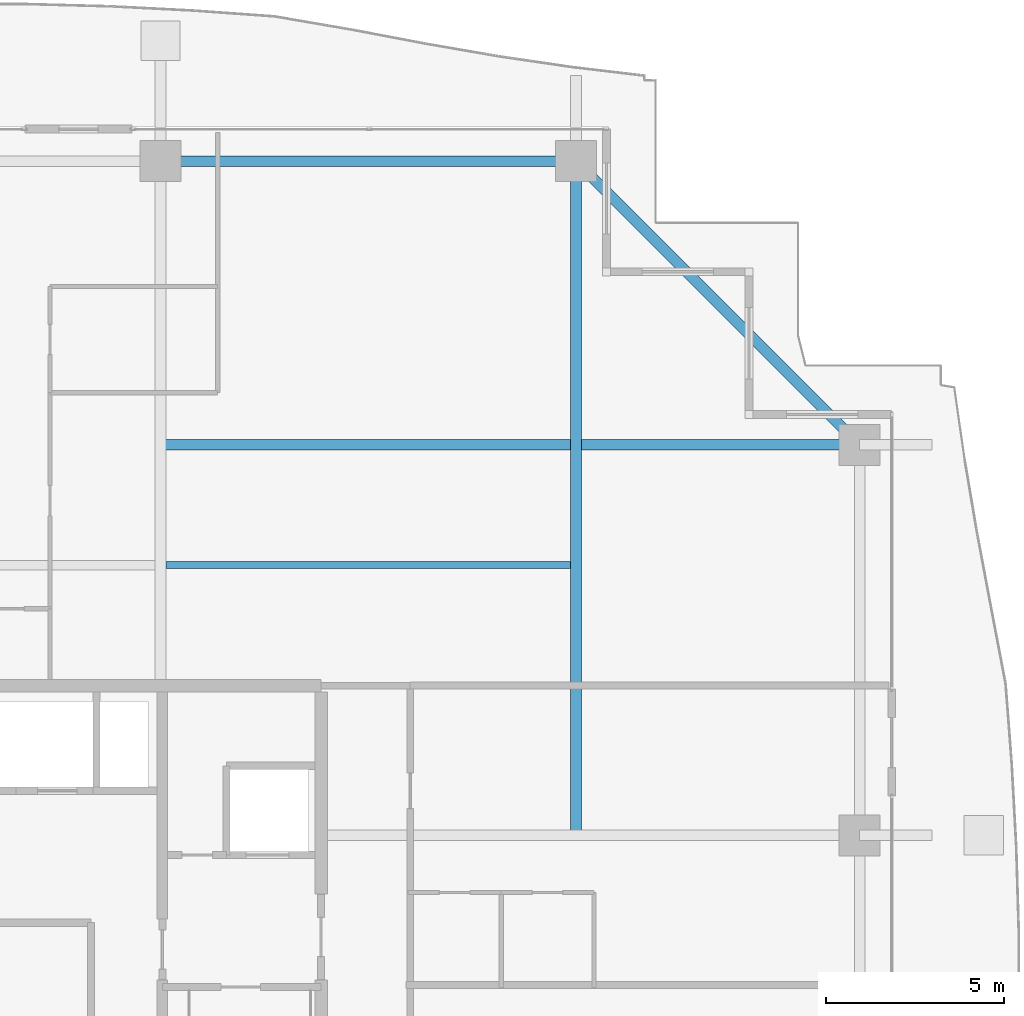
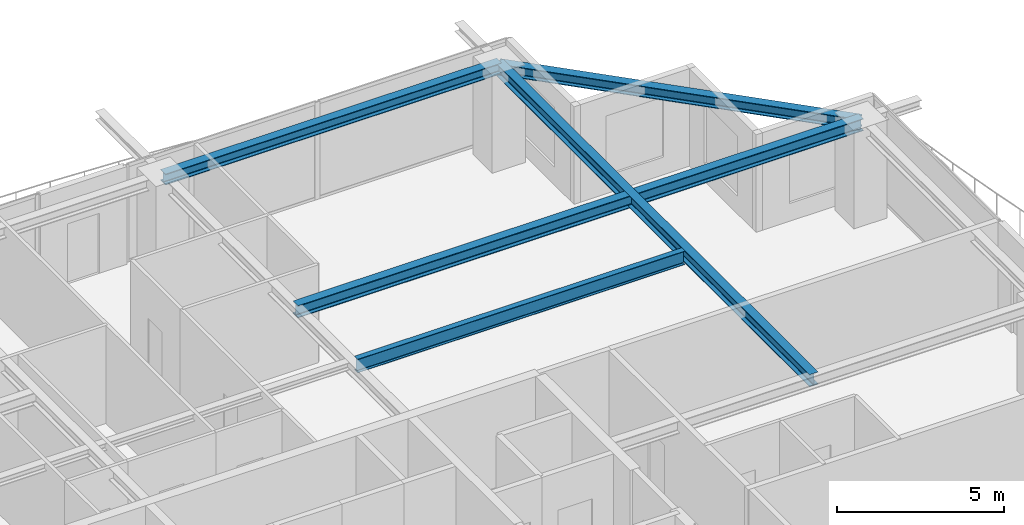
# One storey, part 22 of 38: 5 beams.
"""IFC4 building model written with IfcOpenShell, lengths in metres."""

import ifcopenshell
import ifcopenshell.guid

model = None  # the IFC model being written
_history = None  # IfcOwnerHistory: only IFC2X3 demands one
_inside = {}  # id of a spatial element -> (the spatial element, [elements in it])
_under = {}  # id of a project, library or spatial element -> (it, [spatial elements below it])
_declared = {}  # id of a project -> (the project, [libraries it declares])
_typed = {}  # id of a type object -> (the type object, [elements of that type])
_made_of = {}  # id of a material, layer set ... -> (it, [elements and type objects made of it])


def new_model(schema):
    """Start an empty IFC model of exactly this schema.

    Asked for "IFC4X3", IfcOpenShell would pick the latest addendum, in which some entities
    have other attributes; the version numbers below select the first issue.
    IFC2X3 requires an IfcOwnerHistory on every rooted entity: one is made here for all.
    """
    global model, _history
    if schema == "IFC4X3":
        model = ifcopenshell.file(schema_version=(4, 3, 0, 0))
    else:
        model = ifcopenshell.file(schema=schema)
    _inside.clear()
    _under.clear()
    _declared.clear()
    _typed.clear()
    _made_of.clear()
    _history = None
    if model.schema == "IFC2X3":
        org = make("IfcOrganization", Name="unknown")
        user = make(
            "IfcPersonAndOrganization",
            ThePerson=make("IfcPerson", FamilyName="unknown"),
            TheOrganization=org,
        )
        app = make(
            "IfcApplication",
            ApplicationDeveloper=org,
            Version="unknown",
            ApplicationFullName="unknown",
            ApplicationIdentifier="unknown",
        )
        _history = make(
            "IfcOwnerHistory",
            OwningUser=user,
            OwningApplication=app,
            ChangeAction="ADDED",
            CreationDate=0,
        )
    return model


def make(cls, **values):
    """One entity of the class cls with the attributes given. An attribute that is None is left unset."""
    return model.create_entity(
        cls, **{name: value for name, value in values.items() if value is not None}
    )


def rooted(cls, **values):
    """An entity with a GlobalId (a new one), such as an element, a storey or a relation."""
    return make(cls, GlobalId=ifcopenshell.guid.new(), OwnerHistory=_history, **values)


def si_unit(unit_type, name, prefix=None):
    """IfcSIUnit, for example si_unit("LENGTHUNIT", "METRE", prefix="MILLI")."""
    return make("IfcSIUnit", UnitType=unit_type, Prefix=prefix, Name=name)


def assignment(units):
    """IfcUnitAssignment: the units of a project."""
    return None if units is None else make("IfcUnitAssignment", Units=units)


def point(xyz):
    """IfcCartesianPoint."""
    return None if xyz is None else make("IfcCartesianPoint", Coordinates=xyz)


def direction(xyz):
    """IfcDirection."""
    return None if xyz is None else make("IfcDirection", DirectionRatios=xyz)


def frame(location, z_axis=None, x_axis=None):
    """IfcAxis2Placement3D, a coordinate frame: its origin and axes. An axis left out is left unset."""
    return make(
        "IfcAxis2Placement3D",
        Location=point(location),
        Axis=direction(z_axis),
        RefDirection=direction(x_axis),
    )


def frame_2d(location, x_axis=None):
    """IfcAxis2Placement2D, a coordinate frame in the plane: its origin and x axis."""
    return make(
        "IfcAxis2Placement2D", Location=point(location), RefDirection=direction(x_axis)
    )


def origin():
    """The frame at (0, 0, 0) with its axes left unset."""
    return frame((0.0, 0.0, 0.0))


def origin_2d():
    """The frame at (0, 0) in the plane with its x axis left unset."""
    return frame_2d((0.0, 0.0))


def place(relative_to, where):
    """IfcLocalPlacement: puts the frame where relative to a parent placement (None: the world)."""
    return make(
        "IfcLocalPlacement", PlacementRelTo=relative_to, RelativePlacement=where
    )


def context(
    kind, dimensions, precision=None, world=None, true_north=None, identifier=None
):
    """IfcGeometricRepresentationContext, for example the 3D "Model" context."""
    return make(
        "IfcGeometricRepresentationContext",
        ContextIdentifier=identifier,
        ContextType=kind,
        CoordinateSpaceDimension=dimensions,
        Precision=precision,
        WorldCoordinateSystem=world,
        TrueNorth=true_north,
    )


def subcontext(parent, identifier, kind, view, scale=None):
    """IfcGeometricRepresentationSubContext, for example "Body" below "Model"."""
    return make(
        "IfcGeometricRepresentationSubContext",
        ContextIdentifier=identifier,
        ContextType=kind,
        ParentContext=parent,
        TargetScale=scale,
        TargetView=view,
    )


def project(units=None, contexts=None):
    """IfcProject with its units and contexts."""
    return rooted(
        "IfcProject",
        Name="project",
        RepresentationContexts=contexts,
        UnitsInContext=assignment(units),
    )


def spatial(cls, under=None, at=None, **own):
    """A site, building, storey or space (cls), placed at a placement, below another one or the project."""
    s = rooted(cls, ObjectPlacement=at, **own)
    if under is not None:
        _under.setdefault(under.id(), (under, []))[1].append(s)
    return s


def profile(cls, at=None, kind="AREA", **sizes):
    """A parametric profile (cls). Its sizes go by their IFC names, for example OverallWidth=200.0."""
    return make(cls, ProfileType=kind, Position=at, **sizes)


def i_section(**sizes):
    """IfcIShapeProfileDef."""
    return profile("IfcIShapeProfileDef", **sizes)


def extrude(swept, where, along, depth):
    """IfcExtrudedAreaSolid: the profile swept, set in the frame where, extruded along a direction by depth."""
    return make(
        "IfcExtrudedAreaSolid",
        SweptArea=swept,
        Position=where,
        ExtrudedDirection=direction(along),
        Depth=depth,
    )


def shape(context_of_items, identifier, shape_type, items):
    """IfcShapeRepresentation: the items that make up one representation, for example the "Body"."""
    return make(
        "IfcShapeRepresentation",
        ContextOfItems=context_of_items,
        RepresentationIdentifier=identifier,
        RepresentationType=shape_type,
        Items=items,
    )


def source(mapping_origin, context_of_items, identifier, shape_type, items):
    """IfcRepresentationMap: a shape defined once, which mapped items show again and again."""
    return make(
        "IfcRepresentationMap",
        MappingOrigin=mapping_origin,
        MappedRepresentation=shape(context_of_items, identifier, shape_type, items),
    )


def transform(
    local_origin,
    x_axis=None,
    y_axis=None,
    z_axis=None,
    scale=None,
    scale2=None,
    scale3=None,
    uniform=True,
):
    """IfcCartesianTransformationOperator3D, or its non-uniform kind. x_axis, y_axis, z_axis: its Axis1, 2, 3."""
    if uniform:
        return make(
            "IfcCartesianTransformationOperator3D",
            Axis1=direction(x_axis),
            Axis2=direction(y_axis),
            LocalOrigin=point(local_origin),
            Scale=scale,
            Axis3=direction(z_axis),
        )
    return make(
        "IfcCartesianTransformationOperator3DnonUniform",
        Axis1=direction(x_axis),
        Axis2=direction(y_axis),
        LocalOrigin=point(local_origin),
        Scale=scale,
        Axis3=direction(z_axis),
        Scale2=scale2,
        Scale3=scale3,
    )


def mapped(mapping_source, mapping_target):
    """IfcMappedItem: shows the shape of a source again, moved by a transform."""
    return make(
        "IfcMappedItem", MappingSource=mapping_source, MappingTarget=mapping_target
    )


def material(Name=None, Category=None):
    """IfcMaterial."""
    return make("IfcMaterial", Name=Name, Category=Category)


def material_profile(
    of_material, cross_section, Name=None, Category=None, Priority=None
):
    """IfcMaterialProfile: a cross section and its material."""
    return make(
        "IfcMaterialProfile",
        Name=Name,
        Material=of_material,
        Profile=cross_section,
        Priority=Priority,
        Category=Category,
    )


def profile_set(profiles, Name=None, composite=None):
    """IfcMaterialProfileSet."""
    return make(
        "IfcMaterialProfileSet",
        Name=Name,
        MaterialProfiles=profiles,
        CompositeProfile=composite,
    )


def made_of(thing, what):
    """Note that an element or type object is made of a material, layer set ...; save() writes the relation."""
    if what is not None:
        _made_of.setdefault(what.id(), (what, []))[1].append(thing)
    return thing


def type_object(cls, material=None, **own):
    """A type object (cls), such as IfcWallType, which elements share."""
    return made_of(rooted(cls, **own), material)


def element(
    cls,
    number,
    at=None,
    inside=None,
    cuts=None,
    type_object=None,
    material=None,
    context=None,
    identifier="Body",
    shape_type=None,
    held_by="IfcProductDefinitionShape",
    body=None,
    shapes=None,
    **own,
):
    """One element of the class cls, such as IfcWall. Its Tag is "e" and its number.

    at: its placement. inside: the storey or other place that contains it. cuts: it is an
    opening in that element (IfcRelVoidsElement). A single representation is given by context,
    identifier, shape_type and body (its items); several are given by shapes. held_by: the class
    of the entity that holds the representations. save() writes the other relations.
    """
    e = rooted(cls, Tag="e%d" % number, ObjectPlacement=at, **own)
    if body is not None:
        shapes = [shape(context, identifier, shape_type, body)]
    if shapes is not None:
        e.Representation = make(held_by, Representations=shapes)
    if inside is not None:
        _inside.setdefault(inside.id(), (inside, []))[1].append(e)
    if cuts is not None:
        rooted(
            "IfcRelVoidsElement", RelatingBuildingElement=cuts, RelatedOpeningElement=e
        )
    if type_object is not None:
        _typed.setdefault(type_object.id(), (type_object, []))[1].append(e)
    return made_of(e, material)


def aggregate(whole, parts):
    """IfcRelAggregates: a whole, such as a stair, and the parts it consists of."""
    return rooted("IfcRelAggregates", RelatingObject=whole, RelatedObjects=parts)


def save(model, path):
    """Write the relations noted so far, then the file.

    IfcRelAggregates (storeys below a building ...), IfcRelContainedInSpatialStructure (elements
    in a storey), IfcRelDefinesByType, IfcRelAssociatesMaterial and IfcRelDeclares: one each for
    every whole, place, type object, material and project.
    """
    for whole, parts in _under.values():
        aggregate(whole, parts)
    for where, things in _inside.values():
        rooted(
            "IfcRelContainedInSpatialStructure",
            RelatedElements=things,
            RelatingStructure=where,
        )
    for kind, things in _typed.values():
        rooted("IfcRelDefinesByType", RelatedObjects=things, RelatingType=kind)
    for what, things in _made_of.values():
        rooted("IfcRelAssociatesMaterial", RelatedObjects=things, RelatingMaterial=what)
    for by, libraries in _declared.values():
        rooted("IfcRelDeclares", RelatingContext=by, RelatedDefinitions=libraries)
    model.write(path)


model = new_model("IFC4")

# Units and contexts
model_context = context("Model", 3, precision=1e-05, world=origin(), true_north=direction((0.0, 1.0)))
body_context = subcontext(model_context, "Body", "Model", "MODEL_VIEW")
ifc_project = project(units=[si_unit("LENGTHUNIT", "METRE"), si_unit("AREAUNIT", "SQUARE_METRE"), si_unit("VOLUMEUNIT", "CUBIC_METRE"), si_unit("PLANEANGLEUNIT", "RADIAN"), si_unit("MASSUNIT", "GRAM", prefix="KILO")], contexts=[model_context])

# Site, building, storey
site_placement = place(None, origin())
site = spatial("IfcSite", under=ifc_project, at=site_placement, CompositionType="ELEMENT")
building_placement = place(site_placement, origin())
building = spatial("IfcBuilding", under=site, at=building_placement, Name="Serunith Strait Residences", CompositionType="ELEMENT")
storey_placement = place(building_placement, frame((0.0, 0.0, 264.35009765625)))
storey = spatial("IfcBuildingStorey", under=building, at=storey_placement, Name="L66", CompositionType="ELEMENT", Elevation=264.35009765625)

# Beams
ifc_material = material(Name="Steel S355J2", Category="steel")
ifc_material_profile_1 = material_profile(ifc_material, i_section(OverallWidth=0.300048828125, OverallDepth=0.449951171875, WebThickness=0.013916015625, FlangeThickness=0.02587890625, FilletRadius=0.027099609375, at=origin_2d()), Name="HEB 450")
ifc_profile_set_1 = profile_set([ifc_material_profile_1], Name="Steel S355J2")
beam_type_1 = type_object("IfcBeamType", Name="BM-HEB450", PredefinedType="BEAM", material=ifc_profile_set_1)
shared_shape_1 = source(origin(), body_context, "Body", "SweptSolid", [
    extrude(i_section(OverallWidth=0.300048828125, OverallDepth=0.449951171875, WebThickness=0.013916015625, FlangeThickness=0.02587890625, FilletRadius=0.027099609375, at=origin_2d()), origin(), (0.0, 0.0, 1.0), 18.900146484375),
])
beam_1_placement = place(storey_placement, frame((48.550048828125, 29.39990234375, 3.36181640625), z_axis=(0.0, 1.0, 0.0), x_axis=(-1.0, 0.0, 0.0)))
element("IfcBeam", 1, at=beam_1_placement, inside=storey, type_object=beam_type_1, Name="L66 Orthogonal Corner Girder TC-N4", PredefinedType="BEAM", context=body_context, shape_type="MappedRepresentation", body=[
    mapped(shared_shape_1, transform((0.0, 0.0, 0.0), scale=1.0)),
])
shared_shape_2 = source(origin(), body_context, "Body", "SweptSolid", [
    extrude(i_section(OverallWidth=0.300048828125, OverallDepth=0.449951171875, WebThickness=0.013916015625, FlangeThickness=0.02587890625, FilletRadius=0.027099609375, at=origin_2d()), origin(), (0.0, 0.0, 1.0), 19.60009765625),
])
beam_2_placement = place(storey_placement, frame((36.89990234375, 40.35009765625, 3.36181640625), z_axis=(1.0, 0.0, 0.0), x_axis=(0.0, 1.0, 0.0)))
element("IfcBeam", 2, at=beam_2_placement, inside=storey, type_object=beam_type_1, Name="L66 Orthogonal Corner Girder TC-E4", PredefinedType="BEAM", context=body_context, shape_type="MappedRepresentation", body=[
    mapped(shared_shape_2, transform((0.0, 0.0, 0.0), scale=1.0)),
])
ifc_material_profile_2 = material_profile(ifc_material, i_section(OverallWidth=0.300048828125, OverallDepth=0.39990234375, WebThickness=0.013427734375, FlangeThickness=0.02392578125, FilletRadius=0.027099609375, at=origin_2d()), Name="HEB 400")
ifc_profile_set_2 = profile_set([ifc_material_profile_2], Name="Steel S355J2")
beam_type_2 = type_object("IfcBeamType", Name="BM-HEB400", PredefinedType="BEAM", material=ifc_profile_set_2)
shared_shape_3 = source(origin(), body_context, "Body", "SweptSolid", [
    extrude(i_section(OverallWidth=0.300048828125, OverallDepth=0.39990234375, WebThickness=0.013427734375, FlangeThickness=0.02392578125, FilletRadius=0.027099609375, at=origin_2d()), origin(), (0.0, 0.0, 1.0), 11.650146484375),
])
beam_3_placement = place(storey_placement, frame((48.550048828125, 48.300048828125, 3.386962890625), z_axis=(-1.0, 0.0, 0.0), x_axis=(0.0, -1.0, 0.0)))
element("IfcBeam", 3, at=beam_3_placement, inside=storey, type_object=beam_type_2, Name="L66 Perimeter Ring Beam 09", PredefinedType="BEAM", context=body_context, shape_type="MappedRepresentation", body=[
    mapped(shared_shape_3, transform((0.0, 0.0, 0.0), scale=1.0)),
])
shared_shape_4 = source(origin(), body_context, "Body", "SweptSolid", [
    extrude(i_section(OverallWidth=0.300048828125, OverallDepth=0.39990234375, WebThickness=0.013427734375, FlangeThickness=0.02392578125, FilletRadius=0.027099609375, at=origin_2d()), origin(), (0.0, 0.0, 1.0), 11.242919921875),
])
beam_4_placement = place(storey_placement, frame((56.5, 40.35009765625, 3.35693359375), z_axis=(-0.707106781187, 0.707106781187, 0.0), x_axis=(-0.707106781187, -0.707106781187, 0.0)))
element("IfcBeam", 4, at=beam_4_placement, inside=storey, type_object=beam_type_2, Name="L66 Perimeter Ring Beam 08", PredefinedType="BEAM", context=body_context, shape_type="MappedRepresentation", body=[
    mapped(shared_shape_4, transform((0.0, 0.0, 0.0), scale=1.0)),
])
ifc_material_profile_3 = material_profile(ifc_material, i_section(OverallWidth=0.199951171875, OverallDepth=0.5, WebThickness=0.01025390625, FlangeThickness=0.01611328125, FilletRadius=0.02099609375, at=origin_2d()), Name="IPE 500")
ifc_profile_set_3 = profile_set([ifc_material_profile_3], Name="Steel S355J2")
beam_type_3 = type_object("IfcBeamType", Name="BM-IPE500", PredefinedType="JOIST", material=ifc_profile_set_3)
shared_shape_5 = source(origin(), body_context, "Body", "SweptSolid", [
    extrude(i_section(OverallWidth=0.199951171875, OverallDepth=0.5, WebThickness=0.01025390625, FlangeThickness=0.01611328125, FilletRadius=0.02099609375, at=origin_2d()), origin(), (0.0, 0.0, 1.0), 11.349853515625),
])
beam_5_placement = place(storey_placement, frame((37.050048828125, 36.97509765625, 3.3369140625), z_axis=(1.0, 0.0, 0.0), x_axis=(0.0, 1.0, 0.0)))
element("IfcBeam", 5, at=beam_5_placement, inside=storey, type_object=beam_type_3, Name="L66 Composite Floor Joist 06", PredefinedType="JOIST", context=body_context, shape_type="MappedRepresentation", body=[
    mapped(shared_shape_5, transform((0.0, 0.0, 0.0), scale=1.0)),
])

save(model, "model.ifc")
